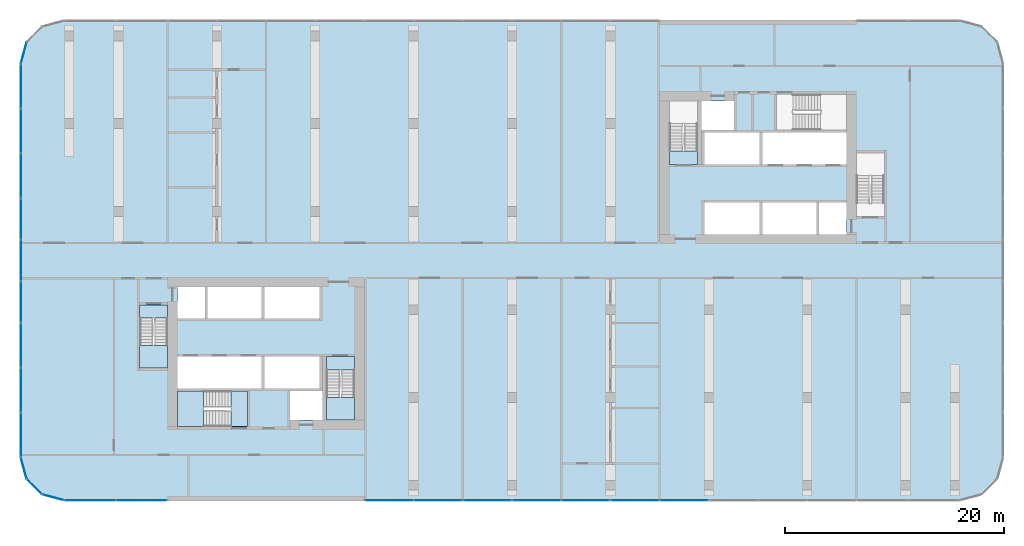
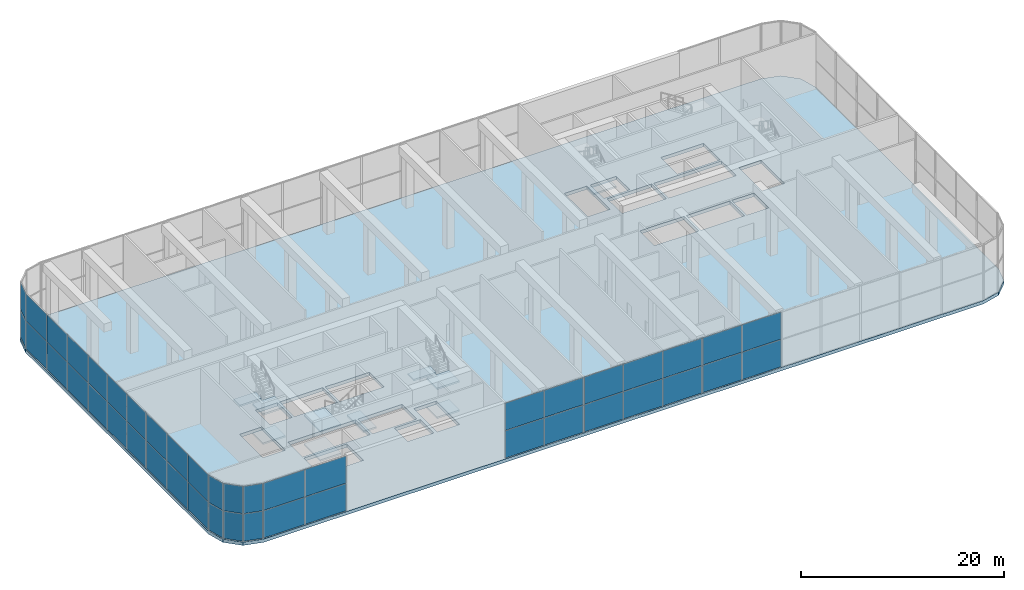
# One storey, part 9 of 23: 44 plates, 11 slabs, 15 elements without a shape of their own.
"""IFC4 building model written with IfcOpenShell, lengths in metres."""

from ifc_helpers import new_model, si_unit, direction, frame, origin, origin_2d, place, context, subcontext, project, spatial, polyline, rectangle, outline, extrude, material, layer, layer_set, type_object, element, aggregate, save


model = new_model("IFC4")

# Units and contexts
model_context = context("Model", 3, precision=1e-05, world=origin(), true_north=direction((0.0, 1.0)))
body_context = subcontext(model_context, "Body", "Model", "MODEL_VIEW")
ifc_project = project(units=[si_unit("LENGTHUNIT", "METRE"), si_unit("AREAUNIT", "SQUARE_METRE"), si_unit("VOLUMEUNIT", "CUBIC_METRE"), si_unit("PLANEANGLEUNIT", "RADIAN"), si_unit("MASSUNIT", "GRAM", prefix="KILO")], contexts=[model_context])

# Site, building, storey
site_placement = place(None, origin())
site = spatial("IfcSite", under=ifc_project, at=site_placement, CompositionType="ELEMENT")
building_placement = place(site_placement, origin())
building = spatial("IfcBuilding", under=site, at=building_placement, Name="Kajstack Hotel Tower", CompositionType="ELEMENT")
storey_placement = place(building_placement, frame((0.0, 0.0, 53.0)))
storey = spatial("IfcBuildingStorey", under=building, at=storey_placement, Name="L08", CompositionType="ELEMENT", Elevation=53.0)

# Curtain wall, plates
ifc_material_1 = material(Name="Aluminium-framed curtain wall, low-iron insulated glass", Category="aluminium")
curtain_wall_type = type_object("IfcCurtainWallType", Name="CW-GARDEN", PredefinedType="NOTDEFINED", material=ifc_material_1)
curtain_wall_1_placement = place(storey_placement, origin())
curtain_wall_1 = element("IfcCurtainWall", 1, at=curtain_wall_1_placement, inside=storey, type_object=curtain_wall_type, Name="Curtain wall CU6 L08-00-00-0", PredefinedType="NOTDEFINED")
ifc_material_2 = material(Name="Low-iron insulated glass", Category="glass")
ifc_layer_1 = layer(ifc_material_2, 0.0400390625)
ifc_layer_set_1 = layer_set([ifc_layer_1], Name="CW-P-GARDEN")
plate_type = type_object("IfcPlateType", Name="CW-P-GARDEN", PredefinedType="CURTAIN_PANEL", material=ifc_layer_set_1)
plate_1_placement = place(storey_placement, frame((-44.65966796875, -18.98046875, 0.06005859375), z_axis=(0.0, 0.0, 1.0), x_axis=(0.258819772904, -0.965925631275, 0.0)))
plate_1 = element("IfcPlate", 2, at=plate_1_placement, type_object=plate_type, Name="CU6 panel 1.1", PredefinedType="CURTAIN_PANEL", context=body_context, shape_type="SweptSolid", body=[
    extrude(rectangle(XDim=1.950439453125, YDim=0.0400390625, at=origin_2d()), origin(), (0.0, 0.0, 1.0), 3.27001953125),
])
plate_2_placement = place(storey_placement, frame((-44.65966796875, -18.98046875, 3.389892578125), z_axis=(0.0, 0.0, 1.0), x_axis=(0.258819772904, -0.965925631275, 0.0)))
plate_2 = element("IfcPlate", 3, at=plate_2_placement, type_object=plate_type, Name="CU6 panel 1.2", PredefinedType="CURTAIN_PANEL", context=body_context, shape_type="SweptSolid", body=[
    extrude(rectangle(XDim=1.950439453125, YDim=0.0400390625, at=origin_2d()), origin(), (0.0, 0.0, 1.0), 3.27001953125),
])
aggregate(curtain_wall_1, [plate_1, plate_2])

curtain_wall_2_placement = place(storey_placement, origin())
curtain_wall_2 = element("IfcCurtainWall", 4, at=curtain_wall_2_placement, inside=storey, type_object=curtain_wall_type, Name="Curtain wall CU6 L08-01-00-0", PredefinedType="NOTDEFINED")
plate_3_placement = place(storey_placement, frame((-43.678955078125, -20.678955078125, 0.06005859375), z_axis=(0.0, 0.0, 1.0), x_axis=(0.707106781187, -0.707106781187, 0.0)))
plate_3 = element("IfcPlate", 5, at=plate_3_placement, type_object=plate_type, Name="CU6 panel 1.1", PredefinedType="CURTAIN_PANEL", context=body_context, shape_type="SweptSolid", body=[
    extrude(rectangle(XDim=1.950439453125, YDim=0.0400390625, at=origin_2d()), origin(), (0.0, 0.0, 1.0), 3.27001953125),
])
plate_4_placement = place(storey_placement, frame((-43.678955078125, -20.678955078125, 3.389892578125), z_axis=(0.0, 0.0, 1.0), x_axis=(0.707106781187, -0.707106781187, 0.0)))
plate_4 = element("IfcPlate", 6, at=plate_4_placement, type_object=plate_type, Name="CU6 panel 1.2", PredefinedType="CURTAIN_PANEL", context=body_context, shape_type="SweptSolid", body=[
    extrude(rectangle(XDim=1.950439453125, YDim=0.0400390625, at=origin_2d()), origin(), (0.0, 0.0, 1.0), 3.27001953125),
])
aggregate(curtain_wall_2, [plate_3, plate_4])

curtain_wall_3_placement = place(storey_placement, origin())
curtain_wall_3 = element("IfcCurtainWall", 7, at=curtain_wall_3_placement, inside=storey, type_object=curtain_wall_type, Name="Curtain wall CU6 L08-02-00-0", PredefinedType="NOTDEFINED")
plate_5_placement = place(storey_placement, frame((-41.98046875, -21.65966796875, 0.06005859375), z_axis=(0.0, 0.0, 1.0), x_axis=(0.965925631275, -0.258819772904, 0.0)))
plate_5 = element("IfcPlate", 8, at=plate_5_placement, type_object=plate_type, Name="CU6 panel 1.1", PredefinedType="CURTAIN_PANEL", context=body_context, shape_type="SweptSolid", body=[
    extrude(rectangle(XDim=1.950439453125, YDim=0.0400390625, at=origin_2d()), origin(), (0.0, 0.0, 1.0), 3.27001953125),
])
plate_6_placement = place(storey_placement, frame((-41.98046875, -21.65966796875, 3.389892578125), z_axis=(0.0, 0.0, 1.0), x_axis=(0.965925631275, -0.258819772904, 0.0)))
plate_6 = element("IfcPlate", 9, at=plate_6_placement, type_object=plate_type, Name="CU6 panel 1.2", PredefinedType="CURTAIN_PANEL", context=body_context, shape_type="SweptSolid", body=[
    extrude(rectangle(XDim=1.950439453125, YDim=0.0400390625, at=origin_2d()), origin(), (0.0, 0.0, 1.0), 3.27001953125),
])
aggregate(curtain_wall_3, [plate_5, plate_6])

curtain_wall_4_placement = place(storey_placement, origin())
curtain_wall_4 = element("IfcCurtainWall", 10, at=curtain_wall_4_placement, inside=storey, type_object=curtain_wall_type, Name="Curtain wall CU6 L08-03-00-0", PredefinedType="NOTDEFINED")
plate_7_placement = place(storey_placement, frame((-38.610107421875, -21.925048828125, 0.06005859375), z_axis=(0.0, 0.0, 1.0), x_axis=(1.0, 0.0, 0.0)))
plate_7 = element("IfcPlate", 11, at=plate_7_placement, type_object=plate_type, Name="CU6 panel 1.1", PredefinedType="CURTAIN_PANEL", context=body_context, shape_type="SweptSolid", body=[
    extrude(rectangle(XDim=4.659912109375, YDim=0.0400390625, at=origin_2d()), origin(), (0.0, 0.0, 1.0), 3.27001953125),
])
plate_8_placement = place(storey_placement, frame((-38.610107421875, -21.925048828125, 3.389892578125), z_axis=(0.0, 0.0, 1.0), x_axis=(1.0, 0.0, 0.0)))
plate_8 = element("IfcPlate", 12, at=plate_8_placement, type_object=plate_type, Name="CU6 panel 1.2", PredefinedType="CURTAIN_PANEL", context=body_context, shape_type="SweptSolid", body=[
    extrude(rectangle(XDim=4.659912109375, YDim=0.0400390625, at=origin_2d()), origin(), (0.0, 0.0, 1.0), 3.27001953125),
])
plate_9_placement = place(storey_placement, frame((-33.889892578125, -21.925048828125, 0.06005859375), z_axis=(0.0, 0.0, 1.0), x_axis=(1.0, 0.0, 0.0)))
plate_9 = element("IfcPlate", 13, at=plate_9_placement, type_object=plate_type, Name="CU6 panel 2.1", PredefinedType="CURTAIN_PANEL", context=body_context, shape_type="SweptSolid", body=[
    extrude(rectangle(XDim=4.659912109375, YDim=0.0400390625, at=origin_2d()), origin(), (0.0, 0.0, 1.0), 3.27001953125),
])
plate_10_placement = place(storey_placement, frame((-33.889892578125, -21.925048828125, 3.389892578125), z_axis=(0.0, 0.0, 1.0), x_axis=(1.0, 0.0, 0.0)))
plate_10 = element("IfcPlate", 14, at=plate_10_placement, type_object=plate_type, Name="CU6 panel 2.2", PredefinedType="CURTAIN_PANEL", context=body_context, shape_type="SweptSolid", body=[
    extrude(rectangle(XDim=4.659912109375, YDim=0.0400390625, at=origin_2d()), origin(), (0.0, 0.0, 1.0), 3.27001953125),
])
aggregate(curtain_wall_4, [plate_7, plate_8, plate_9, plate_10])

curtain_wall_5_placement = place(storey_placement, origin())
curtain_wall_5 = element("IfcCurtainWall", 15, at=curtain_wall_5_placement, inside=storey, type_object=curtain_wall_type, Name="Curtain wall CU6 L08-03-02-0", PredefinedType="NOTDEFINED")
plate_11_placement = place(storey_placement, frame((-11.235107421875, -21.925048828125, 0.06005859375), z_axis=(0.0, 0.0, 1.0), x_axis=(1.0, 0.0, 0.0)))
plate_11 = element("IfcPlate", 16, at=plate_11_placement, type_object=plate_type, Name="CU6 panel 1.1", PredefinedType="CURTAIN_PANEL", context=body_context, shape_type="SweptSolid", body=[
    extrude(rectangle(XDim=4.409912109375, YDim=0.0400390625, at=origin_2d()), origin(), (0.0, 0.0, 1.0), 3.27001953125),
])
plate_12_placement = place(storey_placement, frame((-11.235107421875, -21.925048828125, 3.389892578125), z_axis=(0.0, 0.0, 1.0), x_axis=(1.0, 0.0, 0.0)))
plate_12 = element("IfcPlate", 17, at=plate_12_placement, type_object=plate_type, Name="CU6 panel 1.2", PredefinedType="CURTAIN_PANEL", context=body_context, shape_type="SweptSolid", body=[
    extrude(rectangle(XDim=4.409912109375, YDim=0.0400390625, at=origin_2d()), origin(), (0.0, 0.0, 1.0), 3.27001953125),
])
plate_13_placement = place(storey_placement, frame((-6.764892578125, -21.925048828125, 0.06005859375), z_axis=(0.0, 0.0, 1.0), x_axis=(1.0, 0.0, 0.0)))
plate_13 = element("IfcPlate", 18, at=plate_13_placement, type_object=plate_type, Name="CU6 panel 2.1", PredefinedType="CURTAIN_PANEL", context=body_context, shape_type="SweptSolid", body=[
    extrude(rectangle(XDim=4.409912109375, YDim=0.0400390625, at=origin_2d()), origin(), (0.0, 0.0, 1.0), 3.27001953125),
])
plate_14_placement = place(storey_placement, frame((-6.764892578125, -21.925048828125, 3.389892578125), z_axis=(0.0, 0.0, 1.0), x_axis=(1.0, 0.0, 0.0)))
plate_14 = element("IfcPlate", 19, at=plate_14_placement, type_object=plate_type, Name="CU6 panel 2.2", PredefinedType="CURTAIN_PANEL", context=body_context, shape_type="SweptSolid", body=[
    extrude(rectangle(XDim=4.409912109375, YDim=0.0400390625, at=origin_2d()), origin(), (0.0, 0.0, 1.0), 3.27001953125),
])
aggregate(curtain_wall_5, [plate_11, plate_12, plate_13, plate_14])

curtain_wall_6_placement = place(storey_placement, origin())
curtain_wall_6 = element("IfcCurtainWall", 20, at=curtain_wall_6_placement, inside=storey, type_object=curtain_wall_type, Name="Curtain wall CU6 L08-03-02-1", PredefinedType="NOTDEFINED")
plate_15_placement = place(storey_placement, frame((-2.235107421875, -21.925048828125, 0.06005859375), z_axis=(0.0, 0.0, 1.0), x_axis=(1.0, 0.0, 0.0)))
plate_15 = element("IfcPlate", 21, at=plate_15_placement, type_object=plate_type, Name="CU6 panel 1.1", PredefinedType="CURTAIN_PANEL", context=body_context, shape_type="SweptSolid", body=[
    extrude(rectangle(XDim=4.409912109375, YDim=0.0400390625, at=origin_2d()), origin(), (0.0, 0.0, 1.0), 3.27001953125),
])
plate_16_placement = place(storey_placement, frame((-2.235107421875, -21.925048828125, 3.389892578125), z_axis=(0.0, 0.0, 1.0), x_axis=(1.0, 0.0, 0.0)))
plate_16 = element("IfcPlate", 22, at=plate_16_placement, type_object=plate_type, Name="CU6 panel 1.2", PredefinedType="CURTAIN_PANEL", context=body_context, shape_type="SweptSolid", body=[
    extrude(rectangle(XDim=4.409912109375, YDim=0.0400390625, at=origin_2d()), origin(), (0.0, 0.0, 1.0), 3.27001953125),
])
plate_17_placement = place(storey_placement, frame((2.25, -21.925048828125, 0.06005859375), z_axis=(0.0, 0.0, 1.0), x_axis=(1.0, 0.0, 0.0)))
plate_17 = element("IfcPlate", 23, at=plate_17_placement, type_object=plate_type, Name="CU6 panel 2.1", PredefinedType="CURTAIN_PANEL", context=body_context, shape_type="SweptSolid", body=[
    extrude(rectangle(XDim=4.43994140625, YDim=0.0400390625, at=origin_2d()), origin(), (0.0, 0.0, 1.0), 3.27001953125),
])
plate_18_placement = place(storey_placement, frame((2.25, -21.925048828125, 3.389892578125), z_axis=(0.0, 0.0, 1.0), x_axis=(1.0, 0.0, 0.0)))
plate_18 = element("IfcPlate", 24, at=plate_18_placement, type_object=plate_type, Name="CU6 panel 2.2", PredefinedType="CURTAIN_PANEL", context=body_context, shape_type="SweptSolid", body=[
    extrude(rectangle(XDim=4.43994140625, YDim=0.0400390625, at=origin_2d()), origin(), (0.0, 0.0, 1.0), 3.27001953125),
])
plate_19_placement = place(storey_placement, frame((6.735107421875, -21.925048828125, 0.06005859375), z_axis=(0.0, 0.0, 1.0), x_axis=(1.0, 0.0, 0.0)))
plate_19 = element("IfcPlate", 25, at=plate_19_placement, type_object=plate_type, Name="CU6 panel 3.1", PredefinedType="CURTAIN_PANEL", context=body_context, shape_type="SweptSolid", body=[
    extrude(rectangle(XDim=4.409912109375, YDim=0.0400390625, at=origin_2d()), origin(), (0.0, 0.0, 1.0), 3.27001953125),
])
plate_20_placement = place(storey_placement, frame((6.735107421875, -21.925048828125, 3.389892578125), z_axis=(0.0, 0.0, 1.0), x_axis=(1.0, 0.0, 0.0)))
plate_20 = element("IfcPlate", 26, at=plate_20_placement, type_object=plate_type, Name="CU6 panel 3.2", PredefinedType="CURTAIN_PANEL", context=body_context, shape_type="SweptSolid", body=[
    extrude(rectangle(XDim=4.409912109375, YDim=0.0400390625, at=origin_2d()), origin(), (0.0, 0.0, 1.0), 3.27001953125),
])
aggregate(curtain_wall_6, [plate_15, plate_16, plate_17, plate_18, plate_19, plate_20])

curtain_wall_7_placement = place(storey_placement, origin())
curtain_wall_7 = element("IfcCurtainWall", 27, at=curtain_wall_7_placement, inside=storey, type_object=curtain_wall_type, Name="Curtain wall CU6 L08-03-02-2", PredefinedType="NOTDEFINED")
plate_21_placement = place(storey_placement, frame((11.264892578125, -21.925048828125, 0.06005859375), z_axis=(0.0, 0.0, 1.0), x_axis=(1.0, 0.0, 0.0)))
plate_21 = element("IfcPlate", 28, at=plate_21_placement, type_object=plate_type, Name="CU6 panel 1.1", PredefinedType="CURTAIN_PANEL", context=body_context, shape_type="SweptSolid", body=[
    extrude(rectangle(XDim=4.409912109375, YDim=0.0400390625, at=origin_2d()), origin(), (0.0, 0.0, 1.0), 3.27001953125),
])
plate_22_placement = place(storey_placement, frame((11.264892578125, -21.925048828125, 3.389892578125), z_axis=(0.0, 0.0, 1.0), x_axis=(1.0, 0.0, 0.0)))
plate_22 = element("IfcPlate", 29, at=plate_22_placement, type_object=plate_type, Name="CU6 panel 1.2", PredefinedType="CURTAIN_PANEL", context=body_context, shape_type="SweptSolid", body=[
    extrude(rectangle(XDim=4.409912109375, YDim=0.0400390625, at=origin_2d()), origin(), (0.0, 0.0, 1.0), 3.27001953125),
])
plate_23_placement = place(storey_placement, frame((15.735107421875, -21.925048828125, 0.06005859375), z_axis=(0.0, 0.0, 1.0), x_axis=(1.0, 0.0, 0.0)))
plate_23 = element("IfcPlate", 30, at=plate_23_placement, type_object=plate_type, Name="CU6 panel 2.1", PredefinedType="CURTAIN_PANEL", context=body_context, shape_type="SweptSolid", body=[
    extrude(rectangle(XDim=4.409912109375, YDim=0.0400390625, at=origin_2d()), origin(), (0.0, 0.0, 1.0), 3.27001953125),
])
plate_24_placement = place(storey_placement, frame((15.735107421875, -21.925048828125, 3.389892578125), z_axis=(0.0, 0.0, 1.0), x_axis=(1.0, 0.0, 0.0)))
plate_24 = element("IfcPlate", 31, at=plate_24_placement, type_object=plate_type, Name="CU6 panel 2.2", PredefinedType="CURTAIN_PANEL", context=body_context, shape_type="SweptSolid", body=[
    extrude(rectangle(XDim=4.409912109375, YDim=0.0400390625, at=origin_2d()), origin(), (0.0, 0.0, 1.0), 3.27001953125),
])
aggregate(curtain_wall_7, [plate_21, plate_22, plate_23, plate_24])

curtain_wall_8_placement = place(storey_placement, origin())
curtain_wall_8 = element("IfcCurtainWall", 32, at=curtain_wall_8_placement, inside=storey, type_object=curtain_wall_type, Name="Curtain wall CU6 L08-14-00-0", PredefinedType="NOTDEFINED")
plate_25_placement = place(storey_placement, frame((-44.65966796875, 18.98046875, 0.06005859375), z_axis=(0.0, 0.0, 1.0), x_axis=(-0.258819772904, -0.965925631275, 0.0)))
plate_25 = element("IfcPlate", 33, at=plate_25_placement, type_object=plate_type, Name="CU6 panel 1.1", PredefinedType="CURTAIN_PANEL", context=body_context, shape_type="SweptSolid", body=[
    extrude(rectangle(XDim=1.950439453125, YDim=0.0400390625, at=origin_2d()), origin(), (0.0, 0.0, 1.0), 3.27001953125),
])
plate_26_placement = place(storey_placement, frame((-44.65966796875, 18.98046875, 3.389892578125), z_axis=(0.0, 0.0, 1.0), x_axis=(-0.258819772904, -0.965925631275, 0.0)))
plate_26 = element("IfcPlate", 34, at=plate_26_placement, type_object=plate_type, Name="CU6 panel 1.2", PredefinedType="CURTAIN_PANEL", context=body_context, shape_type="SweptSolid", body=[
    extrude(rectangle(XDim=1.950439453125, YDim=0.0400390625, at=origin_2d()), origin(), (0.0, 0.0, 1.0), 3.27001953125),
])
aggregate(curtain_wall_8, [plate_25, plate_26])

curtain_wall_9_placement = place(storey_placement, origin())
curtain_wall_9 = element("IfcCurtainWall", 35, at=curtain_wall_9_placement, inside=storey, type_object=curtain_wall_type, Name="Curtain wall CU6 L08-15-00-0", PredefinedType="NOTDEFINED")
plate_27_placement = place(storey_placement, frame((-44.925048828125, 15.93505859375, 0.06005859375), z_axis=(0.0, 0.0, 1.0), x_axis=(0.0, -1.0, 0.0)))
plate_27 = element("IfcPlate", 36, at=plate_27_placement, type_object=plate_type, Name="CU6 panel 1.1", PredefinedType="CURTAIN_PANEL", context=body_context, shape_type="SweptSolid", body=[
    extrude(rectangle(XDim=4.010009765625, YDim=0.0400390625, at=origin_2d()), origin(), (0.0, 0.0, 1.0), 3.27001953125),
])
plate_28_placement = place(storey_placement, frame((-44.925048828125, 15.93505859375, 3.389892578125), z_axis=(0.0, 0.0, 1.0), x_axis=(0.0, -1.0, 0.0)))
plate_28 = element("IfcPlate", 37, at=plate_28_placement, type_object=plate_type, Name="CU6 panel 1.2", PredefinedType="CURTAIN_PANEL", context=body_context, shape_type="SweptSolid", body=[
    extrude(rectangle(XDim=4.010009765625, YDim=0.0400390625, at=origin_2d()), origin(), (0.0, 0.0, 1.0), 3.27001953125),
])
plate_29_placement = place(storey_placement, frame((-44.925048828125, 11.85009765625, 0.06005859375), z_axis=(0.0, 0.0, 1.0), x_axis=(0.0, -1.0, 0.0)))
plate_29 = element("IfcPlate", 38, at=plate_29_placement, type_object=plate_type, Name="CU6 panel 2.1", PredefinedType="CURTAIN_PANEL", context=body_context, shape_type="SweptSolid", body=[
    extrude(rectangle(XDim=4.0400390625, YDim=0.0400390625, at=origin_2d()), origin(), (0.0, 0.0, 1.0), 3.27001953125),
])
plate_30_placement = place(storey_placement, frame((-44.925048828125, 11.85009765625, 3.389892578125), z_axis=(0.0, 0.0, 1.0), x_axis=(0.0, -1.0, 0.0)))
plate_30 = element("IfcPlate", 39, at=plate_30_placement, type_object=plate_type, Name="CU6 panel 2.2", PredefinedType="CURTAIN_PANEL", context=body_context, shape_type="SweptSolid", body=[
    extrude(rectangle(XDim=4.0400390625, YDim=0.0400390625, at=origin_2d()), origin(), (0.0, 0.0, 1.0), 3.27001953125),
])
plate_31_placement = place(storey_placement, frame((-44.925048828125, 7.764892578125, 0.06005859375), z_axis=(0.0, 0.0, 1.0), x_axis=(0.0, -1.0, 0.0)))
plate_31 = element("IfcPlate", 40, at=plate_31_placement, type_object=plate_type, Name="CU6 panel 3.1", PredefinedType="CURTAIN_PANEL", context=body_context, shape_type="SweptSolid", body=[
    extrude(rectangle(XDim=4.010009765625, YDim=0.0400390625, at=origin_2d()), origin(), (0.0, 0.0, 1.0), 3.27001953125),
])
plate_32_placement = place(storey_placement, frame((-44.925048828125, 7.764892578125, 3.389892578125), z_axis=(0.0, 0.0, 1.0), x_axis=(0.0, -1.0, 0.0)))
plate_32 = element("IfcPlate", 41, at=plate_32_placement, type_object=plate_type, Name="CU6 panel 3.2", PredefinedType="CURTAIN_PANEL", context=body_context, shape_type="SweptSolid", body=[
    extrude(rectangle(XDim=4.010009765625, YDim=0.0400390625, at=origin_2d()), origin(), (0.0, 0.0, 1.0), 3.27001953125),
])
aggregate(curtain_wall_9, [plate_27, plate_28, plate_29, plate_30, plate_31, plate_32])

curtain_wall_10_placement = place(storey_placement, origin())
curtain_wall_10 = element("IfcCurtainWall", 42, at=curtain_wall_10_placement, inside=storey, type_object=curtain_wall_type, Name="Curtain wall CU6 L08-15-00-1", PredefinedType="NOTDEFINED")
plate_33_placement = place(storey_placement, frame((-44.925048828125, 3.784912109375, 0.06005859375), z_axis=(0.0, 0.0, 1.0), x_axis=(0.0, -1.0, 0.0)))
plate_33 = element("IfcPlate", 43, at=plate_33_placement, type_object=plate_type, Name="CU6 panel 1.1", PredefinedType="CURTAIN_PANEL", context=body_context, shape_type="SweptSolid", body=[
    extrude(rectangle(XDim=3.7099609375, YDim=0.0400390625, at=origin_2d()), origin(), (0.0, 0.0, 1.0), 3.27001953125),
])
plate_34_placement = place(storey_placement, frame((-44.925048828125, 3.784912109375, 3.389892578125), z_axis=(0.0, 0.0, 1.0), x_axis=(0.0, -1.0, 0.0)))
plate_34 = element("IfcPlate", 44, at=plate_34_placement, type_object=plate_type, Name="CU6 panel 1.2", PredefinedType="CURTAIN_PANEL", context=body_context, shape_type="SweptSolid", body=[
    extrude(rectangle(XDim=3.7099609375, YDim=0.0400390625, at=origin_2d()), origin(), (0.0, 0.0, 1.0), 3.27001953125),
])
plate_35_placement = place(storey_placement, frame((-44.925048828125, 0.0, 0.06005859375), z_axis=(0.0, 0.0, 1.0), x_axis=(0.0, -1.0, 0.0)))
plate_35 = element("IfcPlate", 45, at=plate_35_placement, type_object=plate_type, Name="CU6 panel 2.1", PredefinedType="CURTAIN_PANEL", context=body_context, shape_type="SweptSolid", body=[
    extrude(rectangle(XDim=3.739990234375, YDim=0.0400390625, at=origin_2d()), origin(), (0.0, 0.0, 1.0), 3.27001953125),
])
plate_36_placement = place(storey_placement, frame((-44.925048828125, 0.0, 3.389892578125), z_axis=(0.0, 0.0, 1.0), x_axis=(0.0, -1.0, 0.0)))
plate_36 = element("IfcPlate", 46, at=plate_36_placement, type_object=plate_type, Name="CU6 panel 2.2", PredefinedType="CURTAIN_PANEL", context=body_context, shape_type="SweptSolid", body=[
    extrude(rectangle(XDim=3.739990234375, YDim=0.0400390625, at=origin_2d()), origin(), (0.0, 0.0, 1.0), 3.27001953125),
])
plate_37_placement = place(storey_placement, frame((-44.925048828125, -3.784912109375, 0.06005859375), z_axis=(0.0, 0.0, 1.0), x_axis=(0.0, -1.0, 0.0)))
plate_37 = element("IfcPlate", 47, at=plate_37_placement, type_object=plate_type, Name="CU6 panel 3.1", PredefinedType="CURTAIN_PANEL", context=body_context, shape_type="SweptSolid", body=[
    extrude(rectangle(XDim=3.7099609375, YDim=0.0400390625, at=origin_2d()), origin(), (0.0, 0.0, 1.0), 3.27001953125),
])
plate_38_placement = place(storey_placement, frame((-44.925048828125, -3.784912109375, 3.389892578125), z_axis=(0.0, 0.0, 1.0), x_axis=(0.0, -1.0, 0.0)))
plate_38 = element("IfcPlate", 48, at=plate_38_placement, type_object=plate_type, Name="CU6 panel 3.2", PredefinedType="CURTAIN_PANEL", context=body_context, shape_type="SweptSolid", body=[
    extrude(rectangle(XDim=3.7099609375, YDim=0.0400390625, at=origin_2d()), origin(), (0.0, 0.0, 1.0), 3.27001953125),
])
aggregate(curtain_wall_10, [plate_33, plate_34, plate_35, plate_36, plate_37, plate_38])

curtain_wall_11_placement = place(storey_placement, origin())
curtain_wall_11 = element("IfcCurtainWall", 49, at=curtain_wall_11_placement, inside=storey, type_object=curtain_wall_type, Name="Curtain wall CU6 L08-15-00-2", PredefinedType="NOTDEFINED")
plate_39_placement = place(storey_placement, frame((-44.925048828125, -7.764892578125, 0.06005859375), z_axis=(0.0, 0.0, 1.0), x_axis=(0.0, -1.0, 0.0)))
plate_39 = element("IfcPlate", 50, at=plate_39_placement, type_object=plate_type, Name="CU6 panel 1.1", PredefinedType="CURTAIN_PANEL", context=body_context, shape_type="SweptSolid", body=[
    extrude(rectangle(XDim=4.010009765625, YDim=0.0400390625, at=origin_2d()), origin(), (0.0, 0.0, 1.0), 3.27001953125),
])
plate_40_placement = place(storey_placement, frame((-44.925048828125, -7.764892578125, 3.389892578125), z_axis=(0.0, 0.0, 1.0), x_axis=(0.0, -1.0, 0.0)))
plate_40 = element("IfcPlate", 51, at=plate_40_placement, type_object=plate_type, Name="CU6 panel 1.2", PredefinedType="CURTAIN_PANEL", context=body_context, shape_type="SweptSolid", body=[
    extrude(rectangle(XDim=4.010009765625, YDim=0.0400390625, at=origin_2d()), origin(), (0.0, 0.0, 1.0), 3.27001953125),
])
plate_41_placement = place(storey_placement, frame((-44.925048828125, -11.85009765625, 0.06005859375), z_axis=(0.0, 0.0, 1.0), x_axis=(0.0, -1.0, 0.0)))
plate_41 = element("IfcPlate", 52, at=plate_41_placement, type_object=plate_type, Name="CU6 panel 2.1", PredefinedType="CURTAIN_PANEL", context=body_context, shape_type="SweptSolid", body=[
    extrude(rectangle(XDim=4.0400390625, YDim=0.0400390625, at=origin_2d()), origin(), (0.0, 0.0, 1.0), 3.27001953125),
])
plate_42_placement = place(storey_placement, frame((-44.925048828125, -11.85009765625, 3.389892578125), z_axis=(0.0, 0.0, 1.0), x_axis=(0.0, -1.0, 0.0)))
plate_42 = element("IfcPlate", 53, at=plate_42_placement, type_object=plate_type, Name="CU6 panel 2.2", PredefinedType="CURTAIN_PANEL", context=body_context, shape_type="SweptSolid", body=[
    extrude(rectangle(XDim=4.0400390625, YDim=0.0400390625, at=origin_2d()), origin(), (0.0, 0.0, 1.0), 3.27001953125),
])
plate_43_placement = place(storey_placement, frame((-44.925048828125, -15.93505859375, 0.06005859375), z_axis=(0.0, 0.0, 1.0), x_axis=(0.0, -1.0, 0.0)))
plate_43 = element("IfcPlate", 54, at=plate_43_placement, type_object=plate_type, Name="CU6 panel 3.1", PredefinedType="CURTAIN_PANEL", context=body_context, shape_type="SweptSolid", body=[
    extrude(rectangle(XDim=4.010009765625, YDim=0.0400390625, at=origin_2d()), origin(), (0.0, 0.0, 1.0), 3.27001953125),
])
plate_44_placement = place(storey_placement, frame((-44.925048828125, -15.93505859375, 3.389892578125), z_axis=(0.0, 0.0, 1.0), x_axis=(0.0, -1.0, 0.0)))
plate_44 = element("IfcPlate", 55, at=plate_44_placement, type_object=plate_type, Name="CU6 panel 3.2", PredefinedType="CURTAIN_PANEL", context=body_context, shape_type="SweptSolid", body=[
    extrude(rectangle(XDim=4.010009765625, YDim=0.0400390625, at=origin_2d()), origin(), (0.0, 0.0, 1.0), 3.27001953125),
])
aggregate(curtain_wall_11, [plate_39, plate_40, plate_41, plate_42, plate_43, plate_44])

# Slab
ifc_material_3 = material(Name="Concrete C50/60", Category="concrete")
ifc_layer_2 = layer(ifc_material_3, 0.39990234375)
ifc_layer_set_2 = layer_set([ifc_layer_2], Name="RC slab 400 C50/60 garden")
slab_type_1 = type_object("IfcSlabType", Name="RC slab 400 C50/60 garden", PredefinedType="FLOOR", material=ifc_layer_set_2)
slab_1_placement = place(storey_placement, frame((0.0, 0.0, -0.39990234375)))
element("IfcSlab", 56, at=slab_1_placement, inside=storey, type_object=slab_type_1, Name="S-slab-L08", PredefinedType="FLOOR", context=body_context, shape_type="SweptSolid", body=[
    extrude(outline(polyline([(-45.0, -18.0), (-44.464111328125, -20.0), (-43.0, -21.464111328125), (-41.0, -22.0), (41.0, -22.0), (43.0, -21.464111328125), (44.464111328125, -20.0), (45.0, -18.0), (45.0, 18.0), (44.464111328125, 20.0), (43.0, 21.464111328125), (41.0, 22.0), (-41.0, 22.0), (-43.0, 21.464111328125), (-44.464111328125, 20.0), (-45.0, 18.0), (-45.0, -18.0)]), holes=[polyline([(-30.60009765625, -11.699951171875), (-30.60009765625, -8.800048828125), (-22.89990234375, -8.800048828125), (-22.89990234375, -11.699951171875), (-30.60009765625, -11.699951171875)]), polyline([(-22.64990234375, -11.699951171875), (-22.64990234375, -8.800048828125), (-17.60009765625, -8.800048828125), (-17.60009765625, -11.699951171875), (-22.64990234375, -11.699951171875)]), polyline([(-27.85009765625, -5.300048828125), (-27.85009765625, -2.39990234375), (-22.89990234375, -2.39990234375), (-22.89990234375, -5.300048828125), (-27.85009765625, -5.300048828125)]), polyline([(-22.64990234375, -5.300048828125), (-22.64990234375, -2.39990234375), (-17.60009765625, -2.39990234375), (-17.60009765625, -5.300048828125), (-22.64990234375, -5.300048828125)]), polyline([(-20.300048828125, -14.60009765625), (-17.35009765625, -14.60009765625), (-17.35009765625, -11.949951171875), (-20.300048828125, -11.949951171875), (-20.300048828125, -14.60009765625)]), polyline([(-30.60009765625, -5.300048828125), (-28.10009765625, -5.300048828125), (-28.10009765625, -2.39990234375), (-30.60009765625, -2.39990234375), (-30.60009765625, -5.300048828125)]), polyline([(22.89990234375, 8.800048828125), (22.89990234375, 11.699951171875), (30.60009765625, 11.699951171875), (30.60009765625, 8.800048828125), (22.89990234375, 8.800048828125)]), polyline([(17.60009765625, 8.800048828125), (17.60009765625, 11.699951171875), (22.64990234375, 11.699951171875), (22.64990234375, 8.800048828125), (17.60009765625, 8.800048828125)]), polyline([(22.89990234375, 2.39990234375), (22.89990234375, 5.300048828125), (27.85009765625, 5.300048828125), (27.85009765625, 2.39990234375), (22.89990234375, 2.39990234375)]), polyline([(17.60009765625, 2.39990234375), (17.60009765625, 5.300048828125), (22.64990234375, 5.300048828125), (22.64990234375, 2.39990234375), (17.60009765625, 2.39990234375)]), polyline([(20.300048828125, 14.60009765625), (17.35009765625, 14.60009765625), (17.35009765625, 11.949951171875), (20.300048828125, 11.949951171875), (20.300048828125, 14.60009765625)]), polyline([(30.60009765625, 5.300048828125), (28.10009765625, 5.300048828125), (28.10009765625, 2.39990234375), (30.60009765625, 2.39990234375), (30.60009765625, 5.300048828125)]), polyline([(-34.050048828125, -9.85009765625), (-31.5, -9.85009765625), (-31.5, -5.25), (-34.050048828125, -5.25), (-34.050048828125, -9.85009765625)]), polyline([(-16.949951171875, -14.60009765625), (-14.39990234375, -14.60009765625), (-14.39990234375, -10.0), (-16.949951171875, -10.0), (-16.949951171875, -14.60009765625)]), polyline([(-30.60009765625, -15.199951171875), (-25.699951171875, -15.199951171875), (-25.699951171875, -11.949951171875), (-30.60009765625, -11.949951171875), (-30.60009765625, -15.199951171875)]), polyline([(34.050048828125, 9.85009765625), (31.5, 9.85009765625), (31.5, 5.25), (34.050048828125, 5.25), (34.050048828125, 9.85009765625)]), polyline([(16.949951171875, 14.60009765625), (14.39990234375, 14.60009765625), (14.39990234375, 10.0), (16.949951171875, 10.0), (16.949951171875, 14.60009765625)]), polyline([(30.60009765625, 15.199951171875), (25.699951171875, 15.199951171875), (25.699951171875, 11.949951171875), (30.60009765625, 11.949951171875), (30.60009765625, 15.199951171875)])]), origin(), (0.0, 0.0, 1.0), 0.39990234375),
])

# Stair, slabs
ifc_material_4 = material(Name="Concrete C40/50", Category="concrete")
stair_type_1 = type_object("IfcStairType", Name="Exit stair 1200", PredefinedType="HALF_TURN_STAIR", material=ifc_material_4)
stair_1_placement = place(storey_placement, origin())
stair_1 = element("IfcStair", 57, at=stair_1_placement, inside=storey, type_object=stair_type_1, Name="L08 stair W1", PredefinedType="HALF_TURN_STAIR")
ifc_layer_3 = layer(ifc_material_4, 0.199951171875)
ifc_layer_set_3 = layer_set([ifc_layer_3], Name="Stair landing 200")
slab_type_2 = type_object("IfcSlabType", Name="Stair landing 200", PredefinedType="LANDING", material=ifc_layer_set_3)
slab_2_placement = place(storey_placement, frame((0.0, 0.0, 1.550048828125)))
slab_2 = element("IfcSlab", 58, at=slab_2_placement, type_object=slab_type_2, Name="W1 landing 1", PredefinedType="LANDING", context=body_context, shape_type="SweptSolid", body=[
    extrude(outline(polyline([(-34.050048828125, -7.77001953125), (-34.050048828125, -9.85009765625), (-31.5, -9.85009765625), (-31.5, -7.77001953125), (-34.050048828125, -7.77001953125)])), origin(), (0.0, 0.0, 1.0), 0.199951171875),
])
slab_3_placement = place(storey_placement, frame((0.0, 0.0, 3.300048828125)))
slab_3 = element("IfcSlab", 59, at=slab_3_placement, type_object=slab_type_2, Name="W1 landing 2", PredefinedType="LANDING", context=body_context, shape_type="SweptSolid", body=[
    extrude(outline(polyline([(-34.050048828125, -4.050048828125), (-34.050048828125, -5.25), (-31.5, -5.25), (-31.5, -4.050048828125), (-34.050048828125, -4.050048828125)])), origin(), (0.0, 0.0, 1.0), 0.199951171875),
])
slab_4_placement = place(storey_placement, frame((0.0, 0.0, 5.050048828125)))
slab_4 = element("IfcSlab", 60, at=slab_4_placement, type_object=slab_type_2, Name="W1 landing 3", PredefinedType="LANDING", context=body_context, shape_type="SweptSolid", body=[
    extrude(outline(polyline([(-34.050048828125, -7.77001953125), (-34.050048828125, -9.85009765625), (-31.5, -9.85009765625), (-31.5, -7.77001953125), (-34.050048828125, -7.77001953125)])), origin(), (0.0, 0.0, 1.0), 0.199951171875),
])
aggregate(stair_1, [slab_2, slab_3, slab_4])

stair_2_placement = place(storey_placement, origin())
stair_2 = element("IfcStair", 61, at=stair_2_placement, inside=storey, type_object=stair_type_1, Name="L08 stair W2", PredefinedType="HALF_TURN_STAIR")
slab_5_placement = place(storey_placement, frame((0.0, 0.0, 1.550048828125)))
slab_5 = element("IfcSlab", 62, at=slab_5_placement, type_object=slab_type_2, Name="W2 landing 1", PredefinedType="LANDING", context=body_context, shape_type="SweptSolid", body=[
    extrude(outline(polyline([(-16.949951171875, -12.52001953125), (-16.949951171875, -14.60009765625), (-14.39990234375, -14.60009765625), (-14.39990234375, -12.52001953125), (-16.949951171875, -12.52001953125)])), origin(), (0.0, 0.0, 1.0), 0.199951171875),
])
slab_6_placement = place(storey_placement, frame((0.0, 0.0, 3.300048828125)))
slab_6 = element("IfcSlab", 63, at=slab_6_placement, type_object=slab_type_2, Name="W2 landing 2", PredefinedType="LANDING", context=body_context, shape_type="SweptSolid", body=[
    extrude(outline(polyline([(-16.949951171875, -8.800048828125), (-16.949951171875, -10.0), (-14.39990234375, -10.0), (-14.39990234375, -8.800048828125), (-16.949951171875, -8.800048828125)])), origin(), (0.0, 0.0, 1.0), 0.199951171875),
])
slab_7_placement = place(storey_placement, frame((0.0, 0.0, 5.050048828125)))
slab_7 = element("IfcSlab", 64, at=slab_7_placement, type_object=slab_type_2, Name="W2 landing 3", PredefinedType="LANDING", context=body_context, shape_type="SweptSolid", body=[
    extrude(outline(polyline([(-16.949951171875, -12.52001953125), (-16.949951171875, -14.60009765625), (-14.39990234375, -14.60009765625), (-14.39990234375, -12.52001953125), (-16.949951171875, -12.52001953125)])), origin(), (0.0, 0.0, 1.0), 0.199951171875),
])
aggregate(stair_2, [slab_5, slab_6, slab_7])

stair_type_2 = type_object("IfcStairType", Name="Exit stair 1500", PredefinedType="HALF_TURN_STAIR", material=ifc_material_4)
stair_3_placement = place(storey_placement, origin())
stair_3 = element("IfcStair", 65, at=stair_3_placement, inside=storey, type_object=stair_type_2, Name="L08 stair W3", PredefinedType="HALF_TURN_STAIR")
slab_8_placement = place(storey_placement, frame((0.0, 0.0, 1.550048828125)))
slab_8 = element("IfcSlab", 66, at=slab_8_placement, type_object=slab_type_2, Name="W3 landing 1", PredefinedType="LANDING", context=body_context, shape_type="SweptSolid", body=[
    extrude(outline(polyline([(-28.219970703125, -11.949951171875), (-30.60009765625, -11.949951171875), (-30.60009765625, -15.199951171875), (-28.219970703125, -15.199951171875), (-28.219970703125, -11.949951171875)])), origin(), (0.0, 0.0, 1.0), 0.199951171875),
])
slab_9_placement = place(storey_placement, frame((0.0, 0.0, 3.300048828125)))
slab_9 = element("IfcSlab", 67, at=slab_9_placement, type_object=slab_type_2, Name="W3 landing 2", PredefinedType="LANDING", context=body_context, shape_type="SweptSolid", body=[
    extrude(outline(polyline([(-24.199951171875, -11.949951171875), (-25.699951171875, -11.949951171875), (-25.699951171875, -15.199951171875), (-24.199951171875, -15.199951171875), (-24.199951171875, -11.949951171875)])), origin(), (0.0, 0.0, 1.0), 0.199951171875),
])
slab_10_placement = place(storey_placement, frame((0.0, 0.0, 5.050048828125)))
slab_10 = element("IfcSlab", 68, at=slab_10_placement, type_object=slab_type_2, Name="W3 landing 3", PredefinedType="LANDING", context=body_context, shape_type="SweptSolid", body=[
    extrude(outline(polyline([(-28.219970703125, -11.949951171875), (-30.60009765625, -11.949951171875), (-30.60009765625, -15.199951171875), (-28.219970703125, -15.199951171875), (-28.219970703125, -11.949951171875)])), origin(), (0.0, 0.0, 1.0), 0.199951171875),
])
aggregate(stair_3, [slab_8, slab_9, slab_10])

# Stair, slab
stair_4_placement = place(storey_placement, origin())
stair_4 = element("IfcStair", 69, at=stair_4_placement, inside=storey, type_object=stair_type_1, Name="L08 stair E2", PredefinedType="HALF_TURN_STAIR")
slab_11_placement = place(storey_placement, frame((0.0, 0.0, 3.300048828125)))
slab_11 = element("IfcSlab", 70, at=slab_11_placement, type_object=slab_type_2, Name="E2 landing 2", PredefinedType="LANDING", context=body_context, shape_type="SweptSolid", body=[
    extrude(outline(polyline([(16.949951171875, 8.800048828125), (16.949951171875, 10.0), (14.39990234375, 10.0), (14.39990234375, 8.800048828125), (16.949951171875, 8.800048828125)])), origin(), (0.0, 0.0, 1.0), 0.199951171875),
])
aggregate(stair_4, [slab_11])

save(model, "model.ifc")
